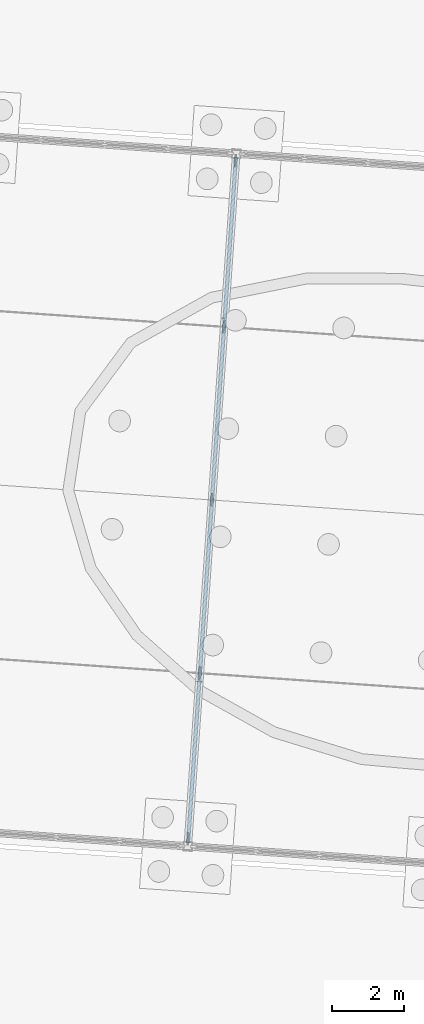
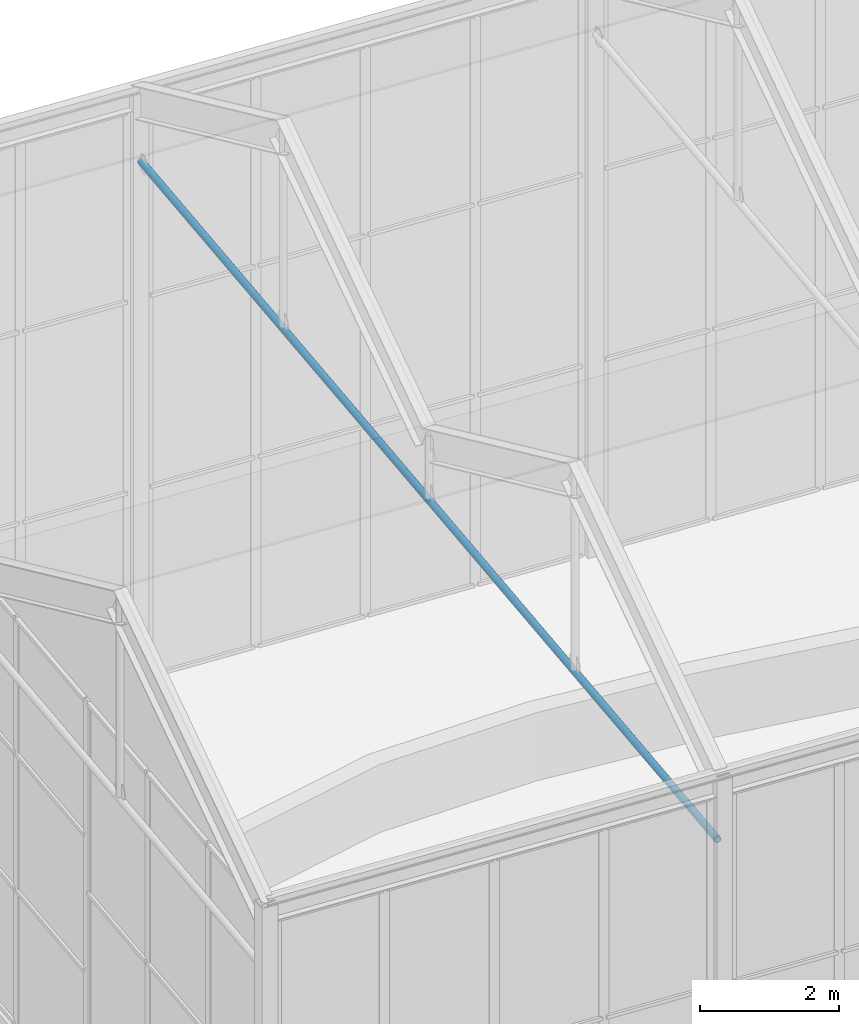
# One storey, part 40 of 157: 1 member.
"""IFC4 building model written with IfcOpenShell, lengths in metres."""

import ifcopenshell
import ifcopenshell.guid

model = None  # the IFC model being written
_history = None  # IfcOwnerHistory: only IFC2X3 demands one
_inside = {}  # id of a spatial element -> (the spatial element, [elements in it])
_under = {}  # id of a project, library or spatial element -> (it, [spatial elements below it])
_declared = {}  # id of a project -> (the project, [libraries it declares])
_typed = {}  # id of a type object -> (the type object, [elements of that type])
_made_of = {}  # id of a material, layer set ... -> (it, [elements and type objects made of it])


def new_model(schema):
    """Start an empty IFC model of exactly this schema.

    Asked for "IFC4X3", IfcOpenShell would pick the latest addendum, in which some entities
    have other attributes; the version numbers below select the first issue.
    IFC2X3 requires an IfcOwnerHistory on every rooted entity: one is made here for all.
    """
    global model, _history
    if schema == "IFC4X3":
        model = ifcopenshell.file(schema_version=(4, 3, 0, 0))
    else:
        model = ifcopenshell.file(schema=schema)
    _inside.clear()
    _under.clear()
    _declared.clear()
    _typed.clear()
    _made_of.clear()
    _history = None
    if model.schema == "IFC2X3":
        org = make("IfcOrganization", Name="unknown")
        user = make(
            "IfcPersonAndOrganization",
            ThePerson=make("IfcPerson", FamilyName="unknown"),
            TheOrganization=org,
        )
        app = make(
            "IfcApplication",
            ApplicationDeveloper=org,
            Version="unknown",
            ApplicationFullName="unknown",
            ApplicationIdentifier="unknown",
        )
        _history = make(
            "IfcOwnerHistory",
            OwningUser=user,
            OwningApplication=app,
            ChangeAction="ADDED",
            CreationDate=0,
        )
    return model


def make(cls, **values):
    """One entity of the class cls with the attributes given. An attribute that is None is left unset."""
    return model.create_entity(
        cls, **{name: value for name, value in values.items() if value is not None}
    )


def rooted(cls, **values):
    """An entity with a GlobalId (a new one), such as an element, a storey or a relation."""
    return make(cls, GlobalId=ifcopenshell.guid.new(), OwnerHistory=_history, **values)


def si_unit(unit_type, name, prefix=None):
    """IfcSIUnit, for example si_unit("LENGTHUNIT", "METRE", prefix="MILLI")."""
    return make("IfcSIUnit", UnitType=unit_type, Prefix=prefix, Name=name)


def assignment(units):
    """IfcUnitAssignment: the units of a project."""
    return None if units is None else make("IfcUnitAssignment", Units=units)


def point(xyz):
    """IfcCartesianPoint."""
    return None if xyz is None else make("IfcCartesianPoint", Coordinates=xyz)


def direction(xyz):
    """IfcDirection."""
    return None if xyz is None else make("IfcDirection", DirectionRatios=xyz)


def frame(location, z_axis=None, x_axis=None):
    """IfcAxis2Placement3D, a coordinate frame: its origin and axes. An axis left out is left unset."""
    return make(
        "IfcAxis2Placement3D",
        Location=point(location),
        Axis=direction(z_axis),
        RefDirection=direction(x_axis),
    )


def frame_2d(location, x_axis=None):
    """IfcAxis2Placement2D, a coordinate frame in the plane: its origin and x axis."""
    return make(
        "IfcAxis2Placement2D", Location=point(location), RefDirection=direction(x_axis)
    )


def origin():
    """The frame at (0, 0, 0) with its axes left unset."""
    return frame((0.0, 0.0, 0.0))


def origin_2d():
    """The frame at (0, 0) in the plane with its x axis left unset."""
    return frame_2d((0.0, 0.0))


def place(relative_to, where):
    """IfcLocalPlacement: puts the frame where relative to a parent placement (None: the world)."""
    return make(
        "IfcLocalPlacement", PlacementRelTo=relative_to, RelativePlacement=where
    )


def context(
    kind, dimensions, precision=None, world=None, true_north=None, identifier=None
):
    """IfcGeometricRepresentationContext, for example the 3D "Model" context."""
    return make(
        "IfcGeometricRepresentationContext",
        ContextIdentifier=identifier,
        ContextType=kind,
        CoordinateSpaceDimension=dimensions,
        Precision=precision,
        WorldCoordinateSystem=world,
        TrueNorth=true_north,
    )


def subcontext(parent, identifier, kind, view, scale=None):
    """IfcGeometricRepresentationSubContext, for example "Body" below "Model"."""
    return make(
        "IfcGeometricRepresentationSubContext",
        ContextIdentifier=identifier,
        ContextType=kind,
        ParentContext=parent,
        TargetScale=scale,
        TargetView=view,
    )


def project(units=None, contexts=None):
    """IfcProject with its units and contexts."""
    return rooted(
        "IfcProject",
        Name="project",
        RepresentationContexts=contexts,
        UnitsInContext=assignment(units),
    )


def spatial(cls, under=None, at=None, **own):
    """A site, building, storey or space (cls), placed at a placement, below another one or the project."""
    s = rooted(cls, ObjectPlacement=at, **own)
    if under is not None:
        _under.setdefault(under.id(), (under, []))[1].append(s)
    return s


def profile(cls, at=None, kind="AREA", **sizes):
    """A parametric profile (cls). Its sizes go by their IFC names, for example OverallWidth=200.0."""
    return make(cls, ProfileType=kind, Position=at, **sizes)


def hollow_circle(**sizes):
    """IfcCircleHollowProfileDef."""
    return profile("IfcCircleHollowProfileDef", **sizes)


def extrude(swept, where, along, depth):
    """IfcExtrudedAreaSolid: the profile swept, set in the frame where, extruded along a direction by depth."""
    return make(
        "IfcExtrudedAreaSolid",
        SweptArea=swept,
        Position=where,
        ExtrudedDirection=direction(along),
        Depth=depth,
    )


def shape(context_of_items, identifier, shape_type, items):
    """IfcShapeRepresentation: the items that make up one representation, for example the "Body"."""
    return make(
        "IfcShapeRepresentation",
        ContextOfItems=context_of_items,
        RepresentationIdentifier=identifier,
        RepresentationType=shape_type,
        Items=items,
    )


def material(Name=None, Category=None):
    """IfcMaterial."""
    return make("IfcMaterial", Name=Name, Category=Category)


def material_profile(
    of_material, cross_section, Name=None, Category=None, Priority=None
):
    """IfcMaterialProfile: a cross section and its material."""
    return make(
        "IfcMaterialProfile",
        Name=Name,
        Material=of_material,
        Profile=cross_section,
        Priority=Priority,
        Category=Category,
    )


def profile_set(profiles, Name=None, composite=None):
    """IfcMaterialProfileSet."""
    return make(
        "IfcMaterialProfileSet",
        Name=Name,
        MaterialProfiles=profiles,
        CompositeProfile=composite,
    )


def made_of(thing, what):
    """Note that an element or type object is made of a material, layer set ...; save() writes the relation."""
    if what is not None:
        _made_of.setdefault(what.id(), (what, []))[1].append(thing)
    return thing


def type_object(cls, material=None, **own):
    """A type object (cls), such as IfcWallType, which elements share."""
    return made_of(rooted(cls, **own), material)


def element(
    cls,
    number,
    at=None,
    inside=None,
    cuts=None,
    type_object=None,
    material=None,
    context=None,
    identifier="Body",
    shape_type=None,
    held_by="IfcProductDefinitionShape",
    body=None,
    shapes=None,
    **own,
):
    """One element of the class cls, such as IfcWall. Its Tag is "e" and its number.

    at: its placement. inside: the storey or other place that contains it. cuts: it is an
    opening in that element (IfcRelVoidsElement). A single representation is given by context,
    identifier, shape_type and body (its items); several are given by shapes. held_by: the class
    of the entity that holds the representations. save() writes the other relations.
    """
    e = rooted(cls, Tag="e%d" % number, ObjectPlacement=at, **own)
    if body is not None:
        shapes = [shape(context, identifier, shape_type, body)]
    if shapes is not None:
        e.Representation = make(held_by, Representations=shapes)
    if inside is not None:
        _inside.setdefault(inside.id(), (inside, []))[1].append(e)
    if cuts is not None:
        rooted(
            "IfcRelVoidsElement", RelatingBuildingElement=cuts, RelatedOpeningElement=e
        )
    if type_object is not None:
        _typed.setdefault(type_object.id(), (type_object, []))[1].append(e)
    return made_of(e, material)


def aggregate(whole, parts):
    """IfcRelAggregates: a whole, such as a stair, and the parts it consists of."""
    return rooted("IfcRelAggregates", RelatingObject=whole, RelatedObjects=parts)


def save(model, path):
    """Write the relations noted so far, then the file.

    IfcRelAggregates (storeys below a building ...), IfcRelContainedInSpatialStructure (elements
    in a storey), IfcRelDefinesByType, IfcRelAssociatesMaterial and IfcRelDeclares: one each for
    every whole, place, type object, material and project.
    """
    for whole, parts in _under.values():
        aggregate(whole, parts)
    for where, things in _inside.values():
        rooted(
            "IfcRelContainedInSpatialStructure",
            RelatedElements=things,
            RelatingStructure=where,
        )
    for kind, things in _typed.values():
        rooted("IfcRelDefinesByType", RelatedObjects=things, RelatingType=kind)
    for what, things in _made_of.values():
        rooted("IfcRelAssociatesMaterial", RelatedObjects=things, RelatingMaterial=what)
    for by, libraries in _declared.values():
        rooted("IfcRelDeclares", RelatingContext=by, RelatedDefinitions=libraries)
    model.write(path)


model = new_model("IFC4")

# Units and contexts
model_context = context("Model", 3, precision=1e-05, world=origin(), true_north=direction((0.0, 1.0)))
body_context = subcontext(model_context, "Body", "Model", "MODEL_VIEW")
ifc_project = project(units=[si_unit("LENGTHUNIT", "METRE"), si_unit("AREAUNIT", "SQUARE_METRE"), si_unit("VOLUMEUNIT", "CUBIC_METRE"), si_unit("PLANEANGLEUNIT", "RADIAN"), si_unit("MASSUNIT", "GRAM", prefix="KILO")], contexts=[model_context])

# Site, building, storey
site_placement = place(None, origin())
site = spatial("IfcSite", under=ifc_project, at=site_placement, CompositionType="ELEMENT")
building_placement = place(site_placement, origin())
building = spatial("IfcBuilding", under=site, at=building_placement, Name="Windward Yard Aquatics Centre", CompositionType="ELEMENT")
storey_placement = place(building_placement, origin())
storey = spatial("IfcBuildingStorey", under=building, at=storey_placement, Name="L00", CompositionType="ELEMENT", Elevation=0.0)

# Member
ifc_material = material(Name="Steel S355", Category="steel")
ifc_material_profile = material_profile(ifc_material, hollow_circle(Radius=0.05712890625, WallThickness=0.006103515625, at=origin_2d()), Name="CHS114x6")
ifc_profile_set = profile_set([ifc_material_profile], Name="Steel S355")
member_type = type_object("IfcMemberType", Name="W CHS114x6 strut", PredefinedType="STRUT", material=ifc_profile_set)
member_placement = place(storey_placement, frame((79.140380859375, 118.973876953125, 9.199951171875), z_axis=(0.069760333918, 0.997563780323, 0.0), x_axis=(-0.997563780323, 0.069760333918, 0.0)))
element("IfcMember", 1, at=member_placement, inside=storey, type_object=member_type, Name="W.TIE.2", PredefinedType="STRUT", context=body_context, shape_type="SweptSolid", body=[
    extrude(hollow_circle(Radius=0.05712890625, WallThickness=0.006103515625, at=origin_2d()), origin(), (0.0, 0.0, 1.0), 19.0),
])

save(model, "model.ifc")
